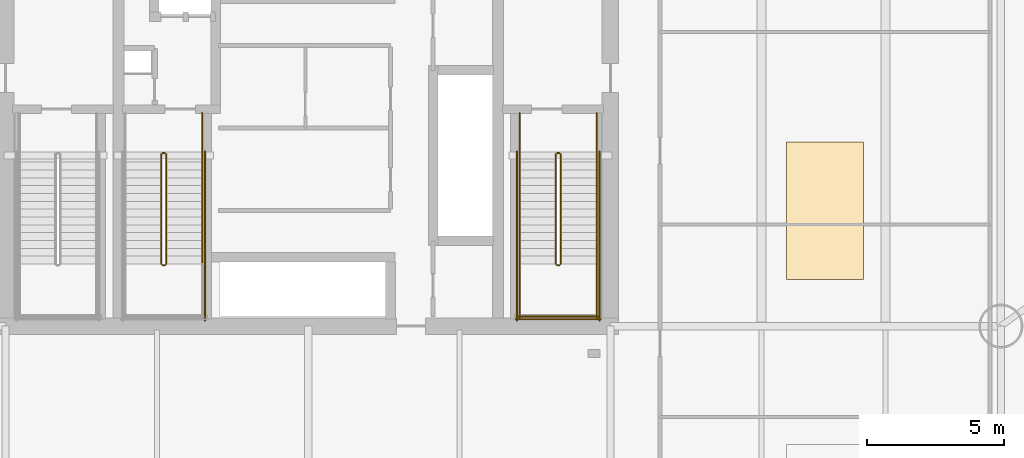
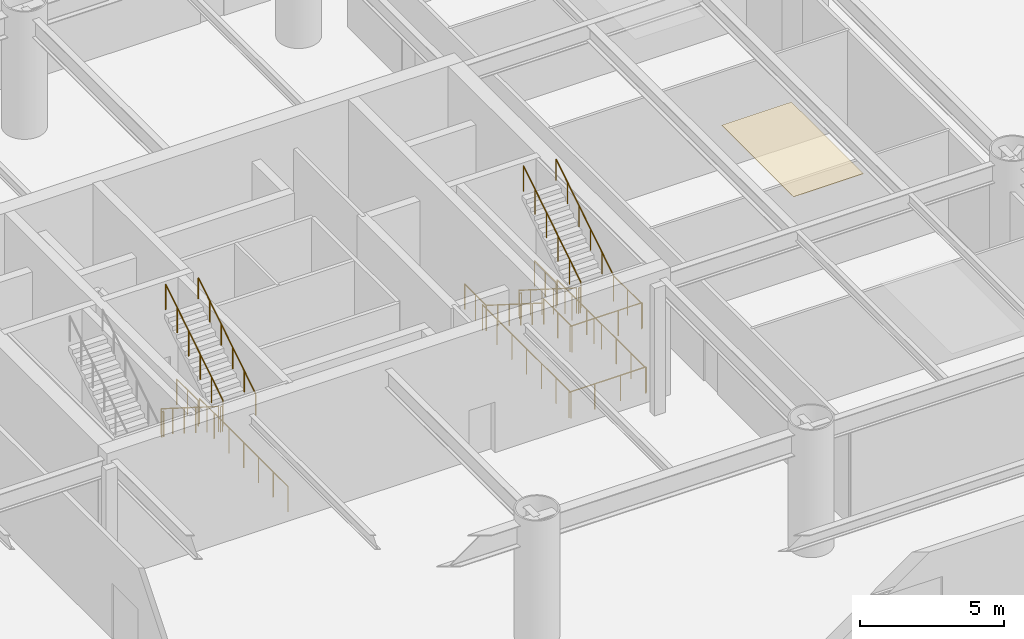
# One storey, part 13 of 16: 21 railings, 1 covering.
"""IFC4 building model written with IfcOpenShell, lengths in metres."""

from ifc_helpers import new_model, si_unit, direction, frame, origin, origin_2d, place, context, subcontext, project, spatial, polyline, circle, outline, extrude, material, layer, layer_set, type_object, element, save


model = new_model("IFC4")

# Units and contexts
model_context = context("Model", 3, precision=1e-05, world=origin(), true_north=direction((0.0, 1.0)))
body_context = subcontext(model_context, "Body", "Model", "MODEL_VIEW")
ifc_project = project(units=[si_unit("LENGTHUNIT", "METRE"), si_unit("AREAUNIT", "SQUARE_METRE"), si_unit("VOLUMEUNIT", "CUBIC_METRE"), si_unit("PLANEANGLEUNIT", "RADIAN"), si_unit("MASSUNIT", "GRAM", prefix="KILO")], contexts=[model_context])

# Site, building, storey
site_placement = place(None, origin())
site = spatial("IfcSite", under=ifc_project, at=site_placement, CompositionType="ELEMENT")
building_placement = place(site_placement, origin())
building = spatial("IfcBuilding", under=site, at=building_placement, Name="Bramvorn Convention Spire", CompositionType="ELEMENT")
storey_placement = place(building_placement, frame((0.0, 0.0, 18.60009765625)))
storey = spatial("IfcBuildingStorey", under=building, at=storey_placement, Name="L03", CompositionType="ELEMENT", Elevation=18.60009765625)

# Covering
ifc_material_1 = material(Name="Micro-Perforated Mineral-Fibre Acoustic Ceiling Tile", Category="gypsum")
ifc_layer = layer(ifc_material_1, 0.02001953125)
ifc_layer_set = layer_set([ifc_layer], Name="Micro-Perforated Mineral-Fibre Acoustic Ceiling Tile - CLG-ACOUSTIC-20")
covering_type = type_object("IfcCoveringType", Name="CLG-ACOUSTIC-20", PredefinedType="CEILING", material=ifc_layer_set)
covering_placement = place(storey_placement, frame((0.0, 0.0, 5.02978515625)))
element("IfcCovering", 1, at=covering_placement, inside=storey, type_object=covering_type, Name="L03 Seminar acoustic tile ceiling 2", PredefinedType="CEILING", context=body_context, shape_type="SweptSolid", body=[
    extrude(outline(polyline([(55.39990234375, 20.5), (58.199951171875, 20.5), (58.199951171875, 25.5), (55.39990234375, 25.5), (55.39990234375, 20.5)])), origin(), (0.0, 0.0, 1.0), 0.02001953125),
])

# Railings
ifc_material_2 = material(Name="Painted Steel Balustrade & Guardrail", Category="steel")
railing_type_1 = type_object("IfcRailingType", Name="RL-STAIR-GUARD-1100", PredefinedType="GUARDRAIL", material=ifc_material_2)
railing_1_placement = place(storey_placement, frame((47.010009765625, 25.050048828125, 0.179931640625)))
element("IfcRailing", 2, at=railing_1_placement, inside=storey, type_object=railing_type_1, Name="L03 ST2 stair guard 1", PredefinedType="GUARDRAIL", context=body_context, shape_type="SweptSolid", body=[
    extrude(circle(Radius=0.02392578125, at=origin_2d()), frame((0.0, 0.0, 1.076171875), z_axis=(0.0, -0.845486444383, 0.533996884227), x_axis=(1.0, 0.0, 0.0)), (0.0, 0.0, 1.0), 4.71923828125),
    extrude(circle(Radius=0.02099609375, at=origin_2d()), origin(), (0.0, 0.0, 1.0), 1.052001953125),
    extrude(circle(Radius=0.02099609375, at=origin_2d()), frame((0.0, -0.798095703125, 0.50390625)), (0.0, 0.0, 1.0), 1.052001953125),
    extrude(circle(Radius=0.02099609375, at=origin_2d()), frame((0.0, -1.595947265625, 1.008056640625)), (0.0, 0.0, 1.0), 1.052001953125),
    extrude(circle(Radius=0.02099609375, at=origin_2d()), frame((0.0, -2.39404296875, 1.511962890625)), (0.0, 0.0, 1.0), 1.052001953125),
    extrude(circle(Radius=0.02099609375, at=origin_2d()), frame((0.0, -3.19189453125, 2.01611328125)), (0.0, 0.0, 1.0), 1.052001953125),
    extrude(circle(Radius=0.02099609375, at=origin_2d()), frame((0.0, -3.989990234375, 2.52001953125)), (0.0, 0.0, 1.0), 1.052001953125),
])
railing_2_placement = place(storey_placement, frame((47.06005859375, 21.010009765625, 2.699951171875)))
element("IfcRailing", 3, at=railing_2_placement, inside=storey, type_object=railing_type_1, Name="L03 ST2 stair guard 2", PredefinedType="GUARDRAIL", context=body_context, shape_type="SweptSolid", body=[
    extrude(circle(Radius=0.02392578125, at=origin_2d()), frame((0.0, 0.0, 1.076171875), z_axis=(1.0, 0.0, 0.0), x_axis=(0.0, 1.0, 0.0)), (0.0, 0.0, 1.0), 0.079833984375),
    extrude(circle(Radius=0.02099609375, at=origin_2d()), origin(), (0.0, 0.0, 1.0), 1.052001953125),
    extrude(circle(Radius=0.02099609375, at=origin_2d()), frame((0.079833984375, 0.0, 0.0)), (0.0, 0.0, 1.0), 1.052001953125),
])
for number, where, name in (
    (4, (45.699951171875, 21.06005859375, 2.699951171875), "L03 ST2 stair guard 3"),
    (5, (48.5, 21.06005859375, 2.699951171875), "L03 ST2 stair guard 4"),
):
    element("IfcRailing", number, at=place(storey_placement, frame(where)), inside=storey, type_object=railing_type_1, Name=name, PredefinedType="GUARDRAIL", context=body_context, shape_type="SweptSolid", body=[
        extrude(circle(Radius=0.02392578125, at=origin_2d()), frame((0.0, 0.0, 1.076171875), z_axis=(0.0, -1.0, 0.0), x_axis=(1.0, 0.0, 0.0)), (0.0, 0.0, 1.0), 1.9599609375),
        extrude(circle(Radius=0.02099609375, at=origin_2d()), origin(), (0.0, 0.0, 1.0), 1.052001953125),
        extrude(circle(Radius=0.02099609375, at=origin_2d()), frame((0.0, -0.97998046875, 0.0)), (0.0, 0.0, 1.0), 1.052001953125),
        extrude(circle(Radius=0.02099609375, at=origin_2d()), frame((0.0, -1.9599609375, 0.0)), (0.0, 0.0, 1.0), 1.052001953125),
    ])
railing_3_placement = place(storey_placement, frame((45.64990234375, 19.14990234375, 2.699951171875)))
element("IfcRailing", 6, at=railing_3_placement, inside=storey, type_object=railing_type_1, Name="L03 ST2 stair guard 5", PredefinedType="GUARDRAIL", context=body_context, shape_type="SweptSolid", body=[
    extrude(circle(Radius=0.02392578125, at=origin_2d()), frame((0.0, 0.0, 1.076171875), z_axis=(1.0, 0.0, 0.0), x_axis=(0.0, 1.0, 0.0)), (0.0, 0.0, 1.0), 2.900146484375),
    extrude(circle(Radius=0.02099609375, at=origin_2d()), origin(), (0.0, 0.0, 1.0), 1.052001953125),
    extrude(circle(Radius=0.02099609375, at=origin_2d()), frame((0.966796875, 0.0, 0.0)), (0.0, 0.0, 1.0), 1.052001953125),
    extrude(circle(Radius=0.02099609375, at=origin_2d()), frame((1.933349609375, 0.0, 0.0)), (0.0, 0.0, 1.0), 1.052001953125),
    extrude(circle(Radius=0.02099609375, at=origin_2d()), frame((2.900146484375, 0.0, 0.0)), (0.0, 0.0, 1.0), 1.052001953125),
])
railing_4_placement = place(storey_placement, frame((47.18994140625, 21.06005859375, 2.8798828125)))
element("IfcRailing", 7, at=railing_4_placement, inside=storey, type_object=railing_type_1, Name="L03 ST2 stair guard 6", PredefinedType="GUARDRAIL", context=body_context, shape_type="SweptSolid", body=[
    extrude(circle(Radius=0.02392578125, at=origin_2d()), frame((0.0, 0.0, 1.076171875), z_axis=(0.0, 0.845486444383, 0.533996884227), x_axis=(-1.0, 0.0, 0.0)), (0.0, 0.0, 1.0), 4.71923828125),
    extrude(circle(Radius=0.02099609375, at=origin_2d()), origin(), (0.0, 0.0, 1.0), 1.052001953125),
    extrude(circle(Radius=0.02099609375, at=origin_2d()), frame((0.0, 0.798095703125, 0.50390625)), (0.0, 0.0, 1.0), 1.052001953125),
    extrude(circle(Radius=0.02099609375, at=origin_2d()), frame((0.0, 1.595947265625, 1.008056640625)), (0.0, 0.0, 1.0), 1.052001953125),
    extrude(circle(Radius=0.02099609375, at=origin_2d()), frame((0.0, 2.39404296875, 1.511962890625)), (0.0, 0.0, 1.0), 1.052001953125),
    extrude(circle(Radius=0.02099609375, at=origin_2d()), frame((0.0, 3.19189453125, 2.01611328125)), (0.0, 0.0, 1.0), 1.052001953125),
    extrude(circle(Radius=0.02099609375, at=origin_2d()), frame((0.0, 3.989990234375, 2.52001953125)), (0.0, 0.0, 1.0), 1.052001953125),
])
railing_5_placement = place(storey_placement, frame((47.06005859375, 25.10009765625, 0.0)))
element("IfcRailing", 8, at=railing_5_placement, inside=storey, type_object=railing_type_1, Name="L03 ST2 stair guard 7", PredefinedType="GUARDRAIL", context=body_context, shape_type="SweptSolid", body=[
    extrude(circle(Radius=0.02392578125, at=origin_2d()), frame((0.0, 0.0, 1.076171875), z_axis=(1.0, 0.0, 0.0), x_axis=(0.0, 1.0, 0.0)), (0.0, 0.0, 1.0), 0.079833984375),
    extrude(circle(Radius=0.02099609375, at=origin_2d()), origin(), (0.0, 0.0, 1.0), 1.052001953125),
    extrude(circle(Radius=0.02099609375, at=origin_2d()), frame((0.079833984375, 0.0, 0.0)), (0.0, 0.0, 1.0), 1.052001953125),
])
for number, where, name in (
    (9, (45.699951171875, 26.550048828125, 0.0), "L03 ST2 stair guard 8"),
    (10, (48.5, 26.550048828125, 0.0), "L03 ST2 stair guard 9"),
):
    element("IfcRailing", number, at=place(storey_placement, frame(where)), inside=storey, type_object=railing_type_1, Name=name, PredefinedType="GUARDRAIL", context=body_context, shape_type="SweptSolid", body=[
        extrude(circle(Radius=0.02392578125, at=origin_2d()), frame((0.0, 0.0, 1.076171875), z_axis=(0.0, -1.0, 0.0), x_axis=(1.0, 0.0, 0.0)), (0.0, 0.0, 1.0), 1.5),
        extrude(circle(Radius=0.02099609375, at=origin_2d()), origin(), (0.0, 0.0, 1.0), 1.052001953125),
        extrude(circle(Radius=0.02099609375, at=origin_2d()), frame((0.0, -0.75, 0.0)), (0.0, 0.0, 1.0), 1.052001953125),
        extrude(circle(Radius=0.02099609375, at=origin_2d()), frame((0.0, -1.5, 0.0)), (0.0, 0.0, 1.0), 1.052001953125),
    ])
for number, where, name in (
    (11, (45.60009765625, 25.14990234375, 0.0), "L03 ST2 stair guard 10"),
    (12, (48.60009765625, 25.14990234375, 0.0), "L03 ST2 stair guard 11"),
):
    element("IfcRailing", number, at=place(storey_placement, frame(where)), inside=storey, type_object=railing_type_1, Name=name, PredefinedType="GUARDRAIL", context=body_context, shape_type="SweptSolid", body=[
        extrude(circle(Radius=0.02392578125, at=origin_2d()), frame((0.0, 0.0, 1.076171875), z_axis=(0.0, -1.0, 0.0), x_axis=(1.0, 0.0, 0.0)), (0.0, 0.0, 1.0), 6.14990234375),
        extrude(circle(Radius=0.02099609375, at=origin_2d()), origin(), (0.0, 0.0, 1.0), 1.052001953125),
        extrude(circle(Radius=0.02099609375, at=origin_2d()), frame((0.0, -1.02490234375, 0.0)), (0.0, 0.0, 1.0), 1.052001953125),
        extrude(circle(Radius=0.02099609375, at=origin_2d()), frame((0.0, -2.050048828125, 0.0)), (0.0, 0.0, 1.0), 1.052001953125),
        extrude(circle(Radius=0.02099609375, at=origin_2d()), frame((0.0, -3.074951171875, 0.0)), (0.0, 0.0, 1.0), 1.052001953125),
        extrude(circle(Radius=0.02099609375, at=origin_2d()), frame((0.0, -4.099853515625, 0.0)), (0.0, 0.0, 1.0), 1.052001953125),
        extrude(circle(Radius=0.02099609375, at=origin_2d()), frame((0.0, -5.125, 0.0)), (0.0, 0.0, 1.0), 1.052001953125),
        extrude(circle(Radius=0.02099609375, at=origin_2d()), frame((0.0, -6.14990234375, 0.0)), (0.0, 0.0, 1.0), 1.052001953125),
    ])
railing_6_placement = place(storey_placement, frame((45.550048828125, 19.050048828125, 0.0)))
element("IfcRailing", 13, at=railing_6_placement, inside=storey, type_object=railing_type_1, Name="L03 ST2 stair guard 12", PredefinedType="GUARDRAIL", context=body_context, shape_type="SweptSolid", body=[
    extrude(circle(Radius=0.02392578125, at=origin_2d()), frame((0.0, 0.0, 1.076171875), z_axis=(1.0, 0.0, 0.0), x_axis=(0.0, 1.0, 0.0)), (0.0, 0.0, 1.0), 3.099853515625),
    extrude(circle(Radius=0.02099609375, at=origin_2d()), origin(), (0.0, 0.0, 1.0), 1.052001953125),
    extrude(circle(Radius=0.02099609375, at=origin_2d()), frame((1.033203125, 0.0, 0.0)), (0.0, 0.0, 1.0), 1.052001953125),
    extrude(circle(Radius=0.02099609375, at=origin_2d()), frame((2.066650390625, 0.0, 0.0)), (0.0, 0.0, 1.0), 1.052001953125),
    extrude(circle(Radius=0.02099609375, at=origin_2d()), frame((3.099853515625, 0.0, 0.0)), (0.0, 0.0, 1.0), 1.052001953125),
])
railing_7_placement = place(storey_placement, frame((32.659912109375, 25.050048828125, 0.179931640625)))
element("IfcRailing", 14, at=railing_7_placement, inside=storey, type_object=railing_type_1, Name="L03 ST3 stair guard 1", PredefinedType="GUARDRAIL", context=body_context, shape_type="SweptSolid", body=[
    extrude(circle(Radius=0.02392578125, at=origin_2d()), frame((0.0, 0.0, 1.076171875), z_axis=(0.0, -0.845486444383, 0.533996884227), x_axis=(1.0, 0.0, 0.0)), (0.0, 0.0, 1.0), 4.71923828125),
    extrude(circle(Radius=0.02099609375, at=origin_2d()), origin(), (0.0, 0.0, 1.0), 1.052001953125),
    extrude(circle(Radius=0.02099609375, at=origin_2d()), frame((0.0, -0.798095703125, 0.50390625)), (0.0, 0.0, 1.0), 1.052001953125),
    extrude(circle(Radius=0.02099609375, at=origin_2d()), frame((0.0, -1.595947265625, 1.008056640625)), (0.0, 0.0, 1.0), 1.052001953125),
    extrude(circle(Radius=0.02099609375, at=origin_2d()), frame((0.0, -2.39404296875, 1.511962890625)), (0.0, 0.0, 1.0), 1.052001953125),
    extrude(circle(Radius=0.02099609375, at=origin_2d()), frame((0.0, -3.19189453125, 2.01611328125)), (0.0, 0.0, 1.0), 1.052001953125),
    extrude(circle(Radius=0.02099609375, at=origin_2d()), frame((0.0, -3.989990234375, 2.52001953125)), (0.0, 0.0, 1.0), 1.052001953125),
])
railing_8_placement = place(storey_placement, frame((32.7099609375, 21.010009765625, 2.699951171875)))
element("IfcRailing", 15, at=railing_8_placement, inside=storey, type_object=railing_type_1, Name="L03 ST3 stair guard 2", PredefinedType="GUARDRAIL", context=body_context, shape_type="SweptSolid", body=[
    extrude(circle(Radius=0.02392578125, at=origin_2d()), frame((0.0, 0.0, 1.076171875), z_axis=(1.0, 0.0, 0.0), x_axis=(0.0, 1.0, 0.0)), (0.0, 0.0, 1.0), 0.080078125),
    extrude(circle(Radius=0.02099609375, at=origin_2d()), origin(), (0.0, 0.0, 1.0), 1.052001953125),
    extrude(circle(Radius=0.02099609375, at=origin_2d()), frame((0.080078125, 0.0, 0.0)), (0.0, 0.0, 1.0), 1.052001953125),
])
railing_9_placement = place(storey_placement, frame((32.840087890625, 21.06005859375, 2.8798828125)))
element("IfcRailing", 16, at=railing_9_placement, inside=storey, type_object=railing_type_1, Name="L03 ST3 stair guard 6", PredefinedType="GUARDRAIL", context=body_context, shape_type="SweptSolid", body=[
    extrude(circle(Radius=0.02392578125, at=origin_2d()), frame((0.0, 0.0, 1.076171875), z_axis=(0.0, 0.845486444383, 0.533996884227), x_axis=(-1.0, 0.0, 0.0)), (0.0, 0.0, 1.0), 4.71923828125),
    extrude(circle(Radius=0.02099609375, at=origin_2d()), origin(), (0.0, 0.0, 1.0), 1.052001953125),
    extrude(circle(Radius=0.02099609375, at=origin_2d()), frame((0.0, 0.798095703125, 0.50390625)), (0.0, 0.0, 1.0), 1.052001953125),
    extrude(circle(Radius=0.02099609375, at=origin_2d()), frame((0.0, 1.595947265625, 1.008056640625)), (0.0, 0.0, 1.0), 1.052001953125),
    extrude(circle(Radius=0.02099609375, at=origin_2d()), frame((0.0, 2.39404296875, 1.511962890625)), (0.0, 0.0, 1.0), 1.052001953125),
    extrude(circle(Radius=0.02099609375, at=origin_2d()), frame((0.0, 3.19189453125, 2.01611328125)), (0.0, 0.0, 1.0), 1.052001953125),
    extrude(circle(Radius=0.02099609375, at=origin_2d()), frame((0.0, 3.989990234375, 2.52001953125)), (0.0, 0.0, 1.0), 1.052001953125),
])
railing_10_placement = place(storey_placement, frame((32.7099609375, 25.10009765625, 0.0)))
element("IfcRailing", 17, at=railing_10_placement, inside=storey, type_object=railing_type_1, Name="L03 ST3 stair guard 7", PredefinedType="GUARDRAIL", context=body_context, shape_type="SweptSolid", body=[
    extrude(circle(Radius=0.02392578125, at=origin_2d()), frame((0.0, 0.0, 1.076171875), z_axis=(1.0, 0.0, 0.0), x_axis=(0.0, 1.0, 0.0)), (0.0, 0.0, 1.0), 0.080078125),
    extrude(circle(Radius=0.02099609375, at=origin_2d()), origin(), (0.0, 0.0, 1.0), 1.052001953125),
    extrude(circle(Radius=0.02099609375, at=origin_2d()), frame((0.080078125, 0.0, 0.0)), (0.0, 0.0, 1.0), 1.052001953125),
])
railing_11_placement = place(storey_placement, frame((34.14990234375, 26.550048828125, 0.0)))
element("IfcRailing", 18, at=railing_11_placement, inside=storey, type_object=railing_type_1, Name="L03 ST3 stair guard 9", PredefinedType="GUARDRAIL", context=body_context, shape_type="SweptSolid", body=[
    extrude(circle(Radius=0.02392578125, at=origin_2d()), frame((0.0, 0.0, 1.076171875), z_axis=(0.0, -1.0, 0.0), x_axis=(1.0, 0.0, 0.0)), (0.0, 0.0, 1.0), 1.5),
    extrude(circle(Radius=0.02099609375, at=origin_2d()), origin(), (0.0, 0.0, 1.0), 1.052001953125),
    extrude(circle(Radius=0.02099609375, at=origin_2d()), frame((0.0, -0.75, 0.0)), (0.0, 0.0, 1.0), 1.052001953125),
    extrude(circle(Radius=0.02099609375, at=origin_2d()), frame((0.0, -1.5, 0.0)), (0.0, 0.0, 1.0), 1.052001953125),
])
railing_12_placement = place(storey_placement, frame((34.25, 25.14990234375, 0.0)))
element("IfcRailing", 19, at=railing_12_placement, inside=storey, type_object=railing_type_1, Name="L03 ST3 stair guard 11", PredefinedType="GUARDRAIL", context=body_context, shape_type="SweptSolid", body=[
    extrude(circle(Radius=0.02392578125, at=origin_2d()), frame((0.0, 0.0, 1.076171875), z_axis=(0.0, -1.0, 0.0), x_axis=(1.0, 0.0, 0.0)), (0.0, 0.0, 1.0), 6.14990234375),
    extrude(circle(Radius=0.02099609375, at=origin_2d()), origin(), (0.0, 0.0, 1.0), 1.052001953125),
    extrude(circle(Radius=0.02099609375, at=origin_2d()), frame((0.0, -1.02490234375, 0.0)), (0.0, 0.0, 1.0), 1.052001953125),
    extrude(circle(Radius=0.02099609375, at=origin_2d()), frame((0.0, -2.050048828125, 0.0)), (0.0, 0.0, 1.0), 1.052001953125),
    extrude(circle(Radius=0.02099609375, at=origin_2d()), frame((0.0, -3.074951171875, 0.0)), (0.0, 0.0, 1.0), 1.052001953125),
    extrude(circle(Radius=0.02099609375, at=origin_2d()), frame((0.0, -4.099853515625, 0.0)), (0.0, 0.0, 1.0), 1.052001953125),
    extrude(circle(Radius=0.02099609375, at=origin_2d()), frame((0.0, -5.125, 0.0)), (0.0, 0.0, 1.0), 1.052001953125),
    extrude(circle(Radius=0.02099609375, at=origin_2d()), frame((0.0, -6.14990234375, 0.0)), (0.0, 0.0, 1.0), 1.052001953125),
])
ifc_material_3 = material(Name="Brushed Bronze Tubular Handrail", Category="aluminium")
railing_type_2 = type_object("IfcRailingType", Name="RL-STAIR-HR-920", PredefinedType="HANDRAIL", material=ifc_material_3)
railing_13_placement = place(storey_placement, frame((45.699951171875, 25.050048828125, 0.179931640625)))
element("IfcRailing", 20, at=railing_13_placement, inside=storey, type_object=railing_type_2, Name="L03 ST2 stair handrail 1", PredefinedType="HANDRAIL", context=body_context, shape_type="SweptSolid", body=[
    extrude(circle(Radius=0.02392578125, at=origin_2d()), frame((0.0, 0.0, 0.89599609375), z_axis=(0.0, -0.845486444383, 0.533996884227), x_axis=(1.0, 0.0, 0.0)), (0.0, 0.0, 1.0), 4.71923828125),
    extrude(circle(Radius=0.02099609375, at=origin_2d()), origin(), (0.0, 0.0, 1.0), 0.871826171875),
    extrude(circle(Radius=0.02099609375, at=origin_2d()), frame((0.0, -0.798095703125, 0.50390625)), (0.0, 0.0, 1.0), 0.871826171875),
    extrude(circle(Radius=0.02099609375, at=origin_2d()), frame((0.0, -1.595947265625, 1.008056640625)), (0.0, 0.0, 1.0), 0.871826171875),
    extrude(circle(Radius=0.02099609375, at=origin_2d()), frame((0.0, -2.39404296875, 1.511962890625)), (0.0, 0.0, 1.0), 0.871826171875),
    extrude(circle(Radius=0.02099609375, at=origin_2d()), frame((0.0, -3.19189453125, 2.01611328125)), (0.0, 0.0, 1.0), 0.871826171875),
    extrude(circle(Radius=0.02099609375, at=origin_2d()), frame((0.0, -3.989990234375, 2.52001953125)), (0.0, 0.0, 1.0), 0.871826171875),
])
for number, where, name in (
    (21, (48.5, 21.06005859375, 2.8798828125), "L03 ST2 stair handrail 2"),
    (22, (34.14990234375, 21.06005859375, 2.8798828125), "L03 ST3 stair handrail 2"),
):
    element("IfcRailing", number, at=place(storey_placement, frame(where)), inside=storey, type_object=railing_type_2, Name=name, PredefinedType="HANDRAIL", context=body_context, shape_type="SweptSolid", body=[
        extrude(circle(Radius=0.02392578125, at=origin_2d()), frame((0.0, 0.0, 0.89599609375), z_axis=(0.0, 0.845486444383, 0.533996884227), x_axis=(-1.0, 0.0, 0.0)), (0.0, 0.0, 1.0), 4.71923828125),
        extrude(circle(Radius=0.02099609375, at=origin_2d()), origin(), (0.0, 0.0, 1.0), 0.871826171875),
        extrude(circle(Radius=0.02099609375, at=origin_2d()), frame((0.0, 0.798095703125, 0.50390625)), (0.0, 0.0, 1.0), 0.871826171875),
        extrude(circle(Radius=0.02099609375, at=origin_2d()), frame((0.0, 1.595947265625, 1.008056640625)), (0.0, 0.0, 1.0), 0.871826171875),
        extrude(circle(Radius=0.02099609375, at=origin_2d()), frame((0.0, 2.39404296875, 1.511962890625)), (0.0, 0.0, 1.0), 0.871826171875),
        extrude(circle(Radius=0.02099609375, at=origin_2d()), frame((0.0, 3.19189453125, 2.01611328125)), (0.0, 0.0, 1.0), 0.871826171875),
        extrude(circle(Radius=0.02099609375, at=origin_2d()), frame((0.0, 3.989990234375, 2.52001953125)), (0.0, 0.0, 1.0), 0.871826171875),
    ])

save(model, "model.ifc")
